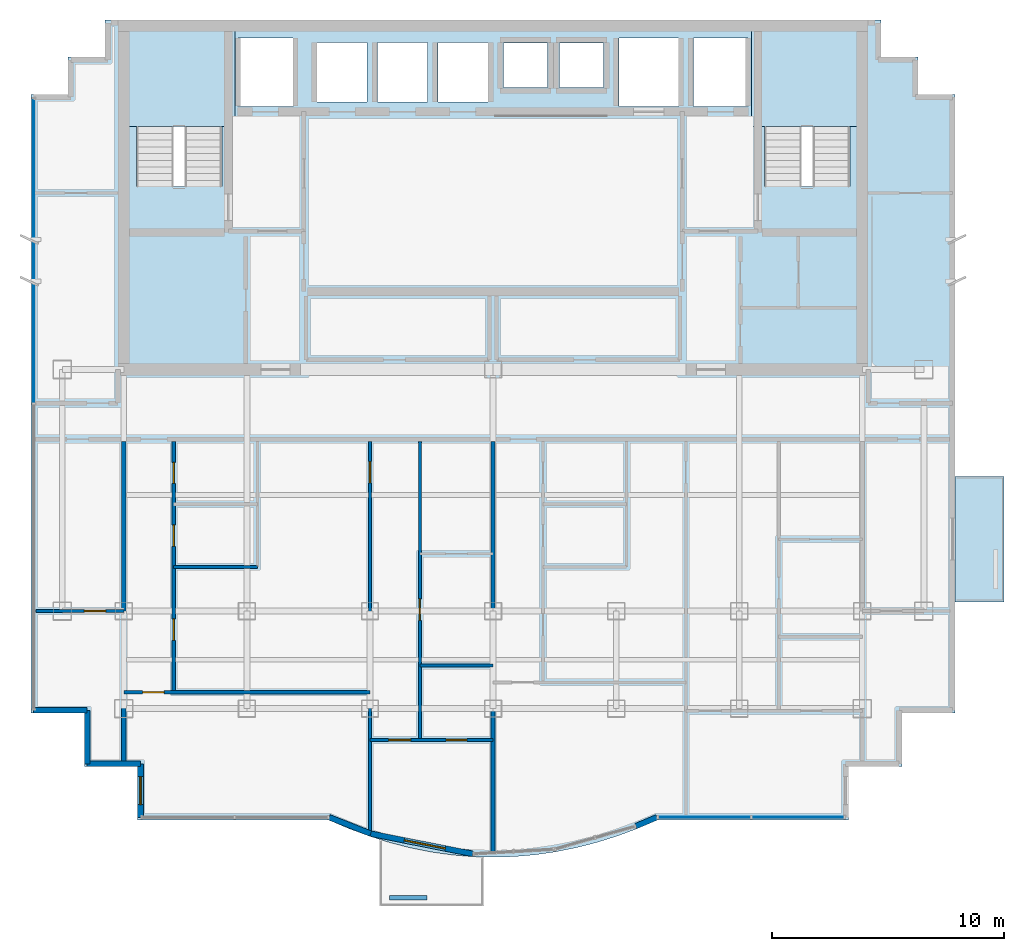
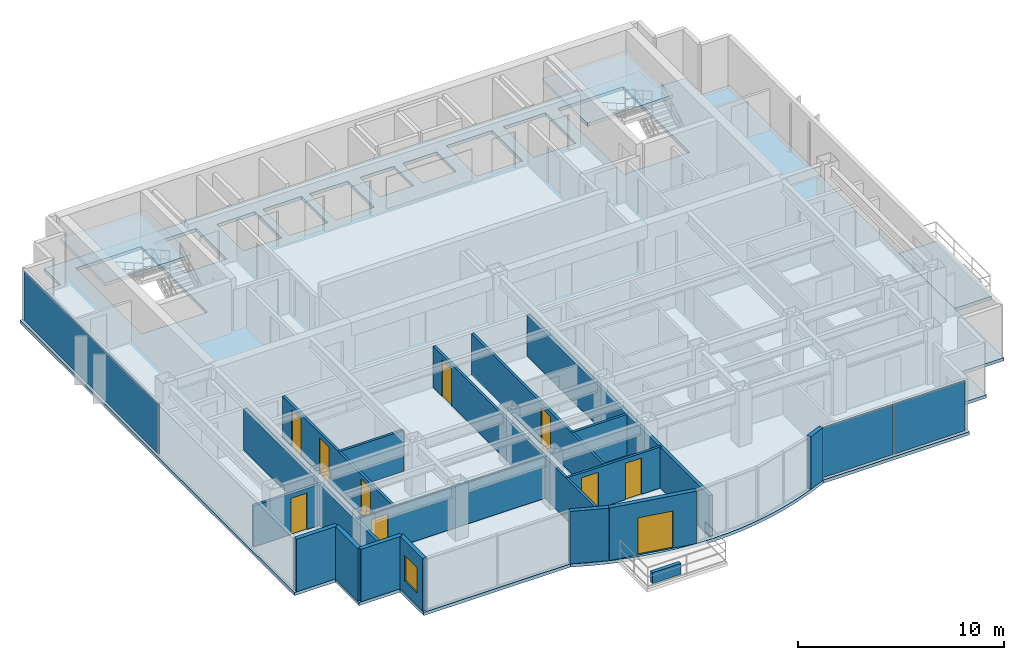
# One storey, part 6 of 11: 18 walls, 10 doors, 4 slabs, 3 plates, 1 window, 11 openings, 4 elements without a shape of their own.
"""IFC4 building model written with IfcOpenShell, lengths in metres."""

import ifcopenshell
import ifcopenshell.guid

model = None  # the IFC model being written
_history = None  # IfcOwnerHistory: only IFC2X3 demands one
_inside = {}  # id of a spatial element -> (the spatial element, [elements in it])
_under = {}  # id of a project, library or spatial element -> (it, [spatial elements below it])
_declared = {}  # id of a project -> (the project, [libraries it declares])
_typed = {}  # id of a type object -> (the type object, [elements of that type])
_made_of = {}  # id of a material, layer set ... -> (it, [elements and type objects made of it])


def new_model(schema):
    """Start an empty IFC model of exactly this schema.

    Asked for "IFC4X3", IfcOpenShell would pick the latest addendum, in which some entities
    have other attributes; the version numbers below select the first issue.
    IFC2X3 requires an IfcOwnerHistory on every rooted entity: one is made here for all.
    """
    global model, _history
    if schema == "IFC4X3":
        model = ifcopenshell.file(schema_version=(4, 3, 0, 0))
    else:
        model = ifcopenshell.file(schema=schema)
    _inside.clear()
    _under.clear()
    _declared.clear()
    _typed.clear()
    _made_of.clear()
    _history = None
    if model.schema == "IFC2X3":
        org = make("IfcOrganization", Name="unknown")
        user = make(
            "IfcPersonAndOrganization",
            ThePerson=make("IfcPerson", FamilyName="unknown"),
            TheOrganization=org,
        )
        app = make(
            "IfcApplication",
            ApplicationDeveloper=org,
            Version="unknown",
            ApplicationFullName="unknown",
            ApplicationIdentifier="unknown",
        )
        _history = make(
            "IfcOwnerHistory",
            OwningUser=user,
            OwningApplication=app,
            ChangeAction="ADDED",
            CreationDate=0,
        )
    return model


def make(cls, **values):
    """One entity of the class cls with the attributes given. An attribute that is None is left unset."""
    return model.create_entity(
        cls, **{name: value for name, value in values.items() if value is not None}
    )


def rooted(cls, **values):
    """An entity with a GlobalId (a new one), such as an element, a storey or a relation."""
    return make(cls, GlobalId=ifcopenshell.guid.new(), OwnerHistory=_history, **values)


def si_unit(unit_type, name, prefix=None):
    """IfcSIUnit, for example si_unit("LENGTHUNIT", "METRE", prefix="MILLI")."""
    return make("IfcSIUnit", UnitType=unit_type, Prefix=prefix, Name=name)


def assignment(units):
    """IfcUnitAssignment: the units of a project."""
    return None if units is None else make("IfcUnitAssignment", Units=units)


def point(xyz):
    """IfcCartesianPoint."""
    return None if xyz is None else make("IfcCartesianPoint", Coordinates=xyz)


def direction(xyz):
    """IfcDirection."""
    return None if xyz is None else make("IfcDirection", DirectionRatios=xyz)


def frame(location, z_axis=None, x_axis=None):
    """IfcAxis2Placement3D, a coordinate frame: its origin and axes. An axis left out is left unset."""
    return make(
        "IfcAxis2Placement3D",
        Location=point(location),
        Axis=direction(z_axis),
        RefDirection=direction(x_axis),
    )


def frame_2d(location, x_axis=None):
    """IfcAxis2Placement2D, a coordinate frame in the plane: its origin and x axis."""
    return make(
        "IfcAxis2Placement2D", Location=point(location), RefDirection=direction(x_axis)
    )


def origin():
    """The frame at (0, 0, 0) with its axes left unset."""
    return frame((0.0, 0.0, 0.0))


def origin_2d():
    """The frame at (0, 0) in the plane with its x axis left unset."""
    return frame_2d((0.0, 0.0))


def place(relative_to, where):
    """IfcLocalPlacement: puts the frame where relative to a parent placement (None: the world)."""
    return make(
        "IfcLocalPlacement", PlacementRelTo=relative_to, RelativePlacement=where
    )


def context(
    kind, dimensions, precision=None, world=None, true_north=None, identifier=None
):
    """IfcGeometricRepresentationContext, for example the 3D "Model" context."""
    return make(
        "IfcGeometricRepresentationContext",
        ContextIdentifier=identifier,
        ContextType=kind,
        CoordinateSpaceDimension=dimensions,
        Precision=precision,
        WorldCoordinateSystem=world,
        TrueNorth=true_north,
    )


def subcontext(parent, identifier, kind, view, scale=None):
    """IfcGeometricRepresentationSubContext, for example "Body" below "Model"."""
    return make(
        "IfcGeometricRepresentationSubContext",
        ContextIdentifier=identifier,
        ContextType=kind,
        ParentContext=parent,
        TargetScale=scale,
        TargetView=view,
    )


def project(units=None, contexts=None):
    """IfcProject with its units and contexts."""
    return rooted(
        "IfcProject",
        Name="project",
        RepresentationContexts=contexts,
        UnitsInContext=assignment(units),
    )


def spatial(cls, under=None, at=None, **own):
    """A site, building, storey or space (cls), placed at a placement, below another one or the project."""
    s = rooted(cls, ObjectPlacement=at, **own)
    if under is not None:
        _under.setdefault(under.id(), (under, []))[1].append(s)
    return s


def polyline(points):
    """IfcPolyline through the points."""
    return make("IfcPolyline", Points=[point(p) for p in points])


def profile(cls, at=None, kind="AREA", **sizes):
    """A parametric profile (cls). Its sizes go by their IFC names, for example OverallWidth=200.0."""
    return make(cls, ProfileType=kind, Position=at, **sizes)


def rectangle(**sizes):
    """IfcRectangleProfileDef."""
    return profile("IfcRectangleProfileDef", **sizes)


def outline(outer, holes=None, kind="AREA"):
    """IfcArbitraryClosedProfileDef: a profile drawn as a closed curve; with holes, ...WithVoids."""
    if holes is None:
        return make("IfcArbitraryClosedProfileDef", ProfileType=kind, OuterCurve=outer)
    return make(
        "IfcArbitraryProfileDefWithVoids",
        ProfileType=kind,
        OuterCurve=outer,
        InnerCurves=holes,
    )


def extrude(swept, where, along, depth):
    """IfcExtrudedAreaSolid: the profile swept, set in the frame where, extruded along a direction by depth."""
    return make(
        "IfcExtrudedAreaSolid",
        SweptArea=swept,
        Position=where,
        ExtrudedDirection=direction(along),
        Depth=depth,
    )


def shape(context_of_items, identifier, shape_type, items):
    """IfcShapeRepresentation: the items that make up one representation, for example the "Body"."""
    return make(
        "IfcShapeRepresentation",
        ContextOfItems=context_of_items,
        RepresentationIdentifier=identifier,
        RepresentationType=shape_type,
        Items=items,
    )


def source(mapping_origin, context_of_items, identifier, shape_type, items):
    """IfcRepresentationMap: a shape defined once, which mapped items show again and again."""
    return make(
        "IfcRepresentationMap",
        MappingOrigin=mapping_origin,
        MappedRepresentation=shape(context_of_items, identifier, shape_type, items),
    )


def transform(
    local_origin,
    x_axis=None,
    y_axis=None,
    z_axis=None,
    scale=None,
    scale2=None,
    scale3=None,
    uniform=True,
):
    """IfcCartesianTransformationOperator3D, or its non-uniform kind. x_axis, y_axis, z_axis: its Axis1, 2, 3."""
    if uniform:
        return make(
            "IfcCartesianTransformationOperator3D",
            Axis1=direction(x_axis),
            Axis2=direction(y_axis),
            LocalOrigin=point(local_origin),
            Scale=scale,
            Axis3=direction(z_axis),
        )
    return make(
        "IfcCartesianTransformationOperator3DnonUniform",
        Axis1=direction(x_axis),
        Axis2=direction(y_axis),
        LocalOrigin=point(local_origin),
        Scale=scale,
        Axis3=direction(z_axis),
        Scale2=scale2,
        Scale3=scale3,
    )


def mapped(mapping_source, mapping_target):
    """IfcMappedItem: shows the shape of a source again, moved by a transform."""
    return make(
        "IfcMappedItem", MappingSource=mapping_source, MappingTarget=mapping_target
    )


def material(Name=None, Category=None):
    """IfcMaterial."""
    return make("IfcMaterial", Name=Name, Category=Category)


def layer(
    of_material, thickness, ventilated=None, Name=None, Category=None, Priority=None
):
    """IfcMaterialLayer: one layer of a wall or slab, of a material (None: an air gap)."""
    return make(
        "IfcMaterialLayer",
        Material=of_material,
        LayerThickness=thickness,
        IsVentilated=ventilated,
        Name=Name,
        Category=Category,
        Priority=Priority,
    )


def layer_set(layers, Name=None):
    """IfcMaterialLayerSet."""
    return make("IfcMaterialLayerSet", MaterialLayers=layers, LayerSetName=Name)


def made_of(thing, what):
    """Note that an element or type object is made of a material, layer set ...; save() writes the relation."""
    if what is not None:
        _made_of.setdefault(what.id(), (what, []))[1].append(thing)
    return thing


def type_object(cls, material=None, **own):
    """A type object (cls), such as IfcWallType, which elements share."""
    return made_of(rooted(cls, **own), material)


def element(
    cls,
    number,
    at=None,
    inside=None,
    cuts=None,
    type_object=None,
    material=None,
    context=None,
    identifier="Body",
    shape_type=None,
    held_by="IfcProductDefinitionShape",
    body=None,
    shapes=None,
    **own,
):
    """One element of the class cls, such as IfcWall. Its Tag is "e" and its number.

    at: its placement. inside: the storey or other place that contains it. cuts: it is an
    opening in that element (IfcRelVoidsElement). A single representation is given by context,
    identifier, shape_type and body (its items); several are given by shapes. held_by: the class
    of the entity that holds the representations. save() writes the other relations.
    """
    e = rooted(cls, Tag="e%d" % number, ObjectPlacement=at, **own)
    if body is not None:
        shapes = [shape(context, identifier, shape_type, body)]
    if shapes is not None:
        e.Representation = make(held_by, Representations=shapes)
    if inside is not None:
        _inside.setdefault(inside.id(), (inside, []))[1].append(e)
    if cuts is not None:
        rooted(
            "IfcRelVoidsElement", RelatingBuildingElement=cuts, RelatedOpeningElement=e
        )
    if type_object is not None:
        _typed.setdefault(type_object.id(), (type_object, []))[1].append(e)
    return made_of(e, material)


def fill(opening, filler):
    """IfcRelFillsElement: the door or window that sits in an opening."""
    return rooted(
        "IfcRelFillsElement",
        RelatingOpeningElement=opening,
        RelatedBuildingElement=filler,
    )


def aggregate(whole, parts):
    """IfcRelAggregates: a whole, such as a stair, and the parts it consists of."""
    return rooted("IfcRelAggregates", RelatingObject=whole, RelatedObjects=parts)


def save(model, path):
    """Write the relations noted so far, then the file.

    IfcRelAggregates (storeys below a building ...), IfcRelContainedInSpatialStructure (elements
    in a storey), IfcRelDefinesByType, IfcRelAssociatesMaterial and IfcRelDeclares: one each for
    every whole, place, type object, material and project.
    """
    for whole, parts in _under.values():
        aggregate(whole, parts)
    for where, things in _inside.values():
        rooted(
            "IfcRelContainedInSpatialStructure",
            RelatedElements=things,
            RelatingStructure=where,
        )
    for kind, things in _typed.values():
        rooted("IfcRelDefinesByType", RelatedObjects=things, RelatingType=kind)
    for what, things in _made_of.values():
        rooted("IfcRelAssociatesMaterial", RelatedObjects=things, RelatingMaterial=what)
    for by, libraries in _declared.values():
        rooted("IfcRelDeclares", RelatingContext=by, RelatedDefinitions=libraries)
    model.write(path)


model = new_model("IFC4")

# Units and contexts
model_context = context("Model", 3, precision=1e-05, world=origin(), true_north=direction((0.0, 1.0)))
body_context = subcontext(model_context, "Body", "Model", "MODEL_VIEW")
ifc_project = project(units=[si_unit("LENGTHUNIT", "METRE"), si_unit("AREAUNIT", "SQUARE_METRE"), si_unit("VOLUMEUNIT", "CUBIC_METRE"), si_unit("PLANEANGLEUNIT", "RADIAN"), si_unit("MASSUNIT", "GRAM", prefix="KILO")], contexts=[model_context])

# Site, building, storey
site_placement = place(None, origin())
site = spatial("IfcSite", under=ifc_project, at=site_placement, CompositionType="ELEMENT")
building_placement = place(site_placement, origin())
building = spatial("IfcBuilding", under=site, at=building_placement, Name="Qianlan Lanfeng Residences", CompositionType="ELEMENT")
storey_placement = place(building_placement, frame((0.0, 0.0, 223.10009765625)))
storey = spatial("IfcBuildingStorey", under=building, at=storey_placement, Name="L61", CompositionType="ELEMENT", Elevation=223.10009765625)

# Slabs
ifc_material_1 = material(Name="Concrete C42", Category="concrete")
ifc_layer_1 = layer(ifc_material_1, 0.199951171875)
ifc_layer_set_1 = layer_set([ifc_layer_1], Name="Concrete C42")
slab_type_1 = type_object("IfcSlabType", Name="S-BAL-200", PredefinedType="FLOOR", material=ifc_layer_set_1)
slab_1_placement = place(storey_placement, frame((0.0, 0.0, -0.2001953125)))
element("IfcSlab", 1, at=slab_1_placement, inside=storey, type_object=slab_type_1, Name="L61 Planted Tree Balcony Slab EB-S", PredefinedType="FLOOR", context=body_context, shape_type="SweptSolid", body=[
    extrude(outline(polyline([(46.39990234375, 20.60009765625), (46.39990234375, 15.199951171875), (48.5, 15.199951171875), (48.5, 20.60009765625), (46.39990234375, 20.60009765625)])), origin(), (0.0, 0.0, 1.0), 0.2001953125),
])
ifc_layer_2 = layer(ifc_material_1, 0.18994140625)
ifc_layer_set_2 = layer_set([ifc_layer_2], Name="Concrete C42")
slab_type_2 = type_object("IfcSlabType", Name="S-FL-190", PredefinedType="FLOOR", material=ifc_layer_set_2)
slab_2_placement = place(storey_placement, frame((0.0, 0.0, -0.190185546875)))
element("IfcSlab", 2, at=slab_2_placement, inside=storey, type_object=slab_type_2, Name="L61 Structural Floor Slab", PredefinedType="FLOOR", context=body_context, shape_type="SweptSolid", body=[
    extrude(outline(polyline([(6.60009765625, 10.39990234375), (8.89990234375, 10.39990234375), (8.89990234375, 8.10009765625), (11.199951171875, 8.10009765625), (11.199951171875, 5.800048828125), (19.419921875, 5.800048828125), (20.304931640625, 5.425048828125), (21.18994140625, 5.10009765625), (22.074951171875, 4.824951171875), (22.9599609375, 4.60009765625), (23.844970703125, 4.425048828125), (24.72998046875, 4.300048828125), (25.614990234375, 4.22509765625), (26.5, 4.199951171875), (27.385009765625, 4.22509765625), (28.27001953125, 4.300048828125), (29.155029296875, 4.425048828125), (30.0400390625, 4.60009765625), (30.925048828125, 4.824951171875), (31.81005859375, 5.10009765625), (32.695068359375, 5.425048828125), (33.580078125, 5.800048828125), (41.800048828125, 5.800048828125), (41.800048828125, 8.10009765625), (44.10009765625, 8.10009765625), (44.10009765625, 10.39990234375), (46.39990234375, 10.39990234375), (46.39990234375, 37.050048828125), (44.800048828125, 37.050048828125), (44.800048828125, 38.64990234375), (43.199951171875, 38.64990234375), (43.199951171875, 40.25), (9.800048828125, 40.25), (9.800048828125, 38.64990234375), (8.199951171875, 38.64990234375), (8.199951171875, 37.050048828125), (6.60009765625, 37.050048828125), (6.60009765625, 10.39990234375)]), holes=[polyline([(11.139892578125, 33.080078125), (11.139892578125, 39.5), (14.820068359375, 39.5), (14.820068359375, 33.080078125), (11.139892578125, 33.080078125)]), polyline([(38.179931640625, 33.080078125), (38.179931640625, 39.5), (41.860107421875, 39.5), (41.860107421875, 33.080078125), (38.179931640625, 33.080078125)]), polyline([(15.52001953125, 36.52001953125), (15.52001953125, 39.47998046875), (17.8798828125, 39.47998046875), (17.8798828125, 36.52001953125), (15.52001953125, 36.52001953125)]), polyline([(35.1201171875, 36.52001953125), (35.1201171875, 39.47998046875), (37.47998046875, 39.47998046875), (37.47998046875, 36.52001953125), (35.1201171875, 36.52001953125)]), polyline([(31.919921875, 36.52001953125), (31.919921875, 39.47998046875), (34.47998046875, 39.47998046875), (34.47998046875, 36.52001953125), (31.919921875, 36.52001953125)]), polyline([(18.919921875, 36.719970703125), (18.919921875, 39.280029296875), (21.080078125, 39.280029296875), (21.080078125, 36.719970703125), (18.919921875, 36.719970703125)]), polyline([(21.52001953125, 36.719970703125), (21.52001953125, 39.280029296875), (23.679931640625, 39.280029296875), (23.679931640625, 36.719970703125), (21.52001953125, 36.719970703125)]), polyline([(24.1201171875, 36.719970703125), (24.1201171875, 39.280029296875), (26.280029296875, 39.280029296875), (26.280029296875, 36.719970703125), (24.1201171875, 36.719970703125)]), polyline([(26.949951171875, 37.35009765625), (26.949951171875, 39.25), (28.85009765625, 39.25), (28.85009765625, 37.35009765625), (26.949951171875, 37.35009765625)]), polyline([(29.35009765625, 37.35009765625), (29.35009765625, 39.25), (31.25, 39.25), (31.25, 37.35009765625), (29.35009765625, 37.35009765625)])]), origin(), (0.0, 0.0, 1.0), 0.190185546875),
])

# Stair, slab
stair_type = type_object("IfcStairType", Name="STR-MAIN", PredefinedType="HALF_TURN_STAIR", material=ifc_material_1)
stair_1_placement = place(storey_placement, origin())
stair_1 = element("IfcStair", 3, at=stair_1_placement, inside=storey, type_object=stair_type, Name="L61 Exit Stair ST-1", PredefinedType="HALF_TURN_STAIR")
ifc_layer_3 = layer(ifc_material_1, 0.179931640625)
ifc_layer_set_3 = layer_set([ifc_layer_3], Name="Concrete C42")
slab_type_3 = type_object("IfcSlabType", Name="S-LND-180", PredefinedType="LANDING", material=ifc_layer_set_3)
slab_3_placement = place(storey_placement, frame((0.0, 0.0, 1.449951171875)))
slab_3 = element("IfcSlab", 4, at=slab_3_placement, type_object=slab_type_3, Name="ST-1 landing 1", PredefinedType="LANDING", context=body_context, shape_type="SweptSolid", body=[
    extrude(outline(polyline([(10.580078125, 35.659912109375), (15.3798828125, 35.659912109375), (15.3798828125, 40.050048828125), (10.580078125, 40.050048828125), (10.580078125, 35.659912109375)])), origin(), (0.0, 0.0, 1.0), 0.199951171875),
])
aggregate(stair_1, [slab_3])

stair_2_placement = place(storey_placement, origin())
stair_2 = element("IfcStair", 5, at=stair_2_placement, inside=storey, type_object=stair_type, Name="L61 Exit Stair ST-2", PredefinedType="HALF_TURN_STAIR")
slab_4_placement = place(storey_placement, frame((0.0, 0.0, 1.449951171875)))
slab_4 = element("IfcSlab", 6, at=slab_4_placement, type_object=slab_type_3, Name="ST-2 landing 1", PredefinedType="LANDING", context=body_context, shape_type="SweptSolid", body=[
    extrude(outline(polyline([(37.6201171875, 35.659912109375), (42.419921875, 35.659912109375), (42.419921875, 40.050048828125), (37.6201171875, 40.050048828125), (37.6201171875, 35.659912109375)])), origin(), (0.0, 0.0, 1.0), 0.199951171875),
])
aggregate(stair_2, [slab_4])

# Curtain wall, plate
ifc_material_2 = material(Name="Anodised Bronze Aluminium 6063-T6", Category="aluminium")
ifc_layer_4 = layer(ifc_material_2, 0.219970703125)
ifc_layer_set_4 = layer_set([ifc_layer_4], Name="Anodised Bronze Aluminium 6063-T6")
curtain_wall_type = type_object("IfcCurtainWallType", Name="CW-05", PredefinedType="NOTDEFINED", material=ifc_layer_set_4)
curtain_wall_1_placement = place(storey_placement, origin())
curtain_wall_1 = element("IfcCurtainWall", 7, at=curtain_wall_1_placement, inside=storey, type_object=curtain_wall_type, Name="L61 Unitised Curtain Wall CWR-L61-04 (CW-05)", PredefinedType="NOTDEFINED")
ifc_material_3 = material(Name="Dark Bronze Tinted Insulated Glass", Category="glass")
ifc_layer_5 = layer(ifc_material_3, 0.0380859375)
ifc_layer_set_5 = layer_set([ifc_layer_5], Name="Dark Bronze Tinted Insulated Glass")
plate_type_1 = type_object("IfcPlateType", Name="PNL-GLZ-BRZ", PredefinedType="CURTAIN_PANEL", material=ifc_layer_set_5)
shared_shape_1 = source(origin(), body_context, "Body", "SweptSolid", [
    extrude(rectangle(XDim=3.951416015625, YDim=0.0380859375, at=origin_2d()), origin(), (0.0, 0.0, 1.0), 2.9619140625),
])
plate_1_placement = place(storey_placement, frame((35.605712890625, 5.919921875, 0.073974609375), z_axis=(0.0, 0.0, 1.0), x_axis=(1.0, 0.0, 0.0)))
plate_1 = element("IfcPlate", 8, at=plate_1_placement, type_object=plate_type_1, Name="CWR-L61-04 Curtain Panel 1", PredefinedType="CURTAIN_PANEL", context=body_context, shape_type="MappedRepresentation", body=[
    mapped(shared_shape_1, transform((0.0, 0.0, 0.0), scale=1.0)),
])

curtain_wall_2_placement = place(storey_placement, origin())
curtain_wall_2 = element("IfcCurtainWall", 9, at=curtain_wall_2_placement, inside=storey, type_object=curtain_wall_type, Name="L61 Unitised Curtain Wall CWR-L61-05 (CW-05)", PredefinedType="NOTDEFINED")
shared_shape_2 = source(origin(), body_context, "Body", "SweptSolid", [
    extrude(rectangle(XDim=13.094482421875, YDim=0.0380859375, at=origin_2d()), origin(), (0.0, 0.0, 1.0), 2.9619140625),
])
plate_2_placement = place(storey_placement, frame((6.719970703125, 30.30859375, 0.073974609375), z_axis=(0.0, 0.0, 1.0), x_axis=(0.0, -1.0, 0.0)))
plate_2 = element("IfcPlate", 10, at=plate_2_placement, type_object=plate_type_1, Name="CWR-L61-05 Curtain Panel 1", PredefinedType="CURTAIN_PANEL", context=body_context, shape_type="MappedRepresentation", body=[
    mapped(shared_shape_2, transform((0.0, 0.0, 0.0), scale=1.0)),
])
aggregate(curtain_wall_2, [plate_2])

# Plate
ifc_material_4 = material(Name="Perforated Anodised Bronze Aluminium Panel", Category="aluminium")
ifc_layer_6 = layer(ifc_material_4, 0.0419921875)
ifc_layer_set_6 = layer_set([ifc_layer_6], Name="Perforated Anodised Bronze Aluminium Panel")
plate_type_2 = type_object("IfcPlateType", Name="PNL-PRF-BRZ", PredefinedType="CURTAIN_PANEL", material=ifc_layer_set_6)
shared_shape_3 = source(origin(), body_context, "Body", "SweptSolid", [
    extrude(rectangle(XDim=3.951416015625, YDim=0.0419921875, at=origin_2d()), origin(), (0.0, 0.0, 1.0), 2.9619140625),
])
plate_3_placement = place(storey_placement, frame((39.630126953125, 5.919921875, 0.073974609375), z_axis=(0.0, 0.0, 1.0), x_axis=(1.0, 0.0, 0.0)))
plate_3 = element("IfcPlate", 11, at=plate_3_placement, type_object=plate_type_2, Name="CWR-L61-04 Curtain Panel 2", PredefinedType="CURTAIN_PANEL", context=body_context, shape_type="MappedRepresentation", body=[
    mapped(shared_shape_3, transform((0.0, 0.0, 0.0), scale=1.0)),
])

aggregate(curtain_wall_1, [plate_1, plate_3])

# Walls
ifc_layer_7 = layer(ifc_material_1, 0.239990234375)
ifc_layer_set_7 = layer_set([ifc_layer_7], Name="Concrete C42")
wall_type_1 = type_object("IfcWallType", Name="EW-240", PredefinedType="SOLIDWALL", material=ifc_layer_set_7)
for number, where, z_axis, x_axis, name in (
    (12, (6.719970703125, 10.52001953125, 0.0), (0.0, 0.0, 1.0), (1.0, 0.0, 0.0), "L61 Exterior Facade Spandrel Wall 1"),
    (13, (9.02001953125, 10.52001953125, 0.0), (0.0, 0.0, 1.0), (0.0, -1.0, 0.0), "L61 Exterior Facade Spandrel Wall 2"),
    (14, (9.02001953125, 8.219970703125, 0.0), (0.0, 0.0, 1.0), (1.0, 0.0, 0.0), "L61 Exterior Facade Spandrel Wall 3"),
):
    element("IfcWall", number, at=place(storey_placement, frame(where, z_axis=z_axis, x_axis=x_axis)), inside=storey, type_object=wall_type_1, Name=name, PredefinedType="SOLIDWALL", context=body_context, shape_type="SweptSolid", body=[
        extrude(rectangle(XDim=2.300048828125, YDim=0.239990234375, at=frame_2d((1.14990234375, 0.0))), origin(), (0.0, 0.0, 1.0), 3.10986328125),
    ])

# Wall, opening, window
wall_1_placement = place(storey_placement, frame((11.320068359375, 8.219970703125, 0.0), z_axis=(0.0, 0.0, 1.0), x_axis=(0.0, -1.0, 0.0)))
wall_1 = element("IfcWall", 15, at=wall_1_placement, inside=storey, type_object=wall_type_1, Name="L61 Exterior Facade Spandrel Wall 4", PredefinedType="SOLIDWALL", context=body_context, shape_type="SweptSolid", body=[
    extrude(rectangle(XDim=2.300048828125, YDim=0.239990234375, at=frame_2d((1.14990234375, 0.0))), origin(), (0.0, 0.0, 1.0), 3.10986328125),
])
opening_1_placement = place(wall_1_placement, frame((0.550048828125, 0.0, 0.75)))
opening_1 = element("IfcOpeningElement", 16, at=opening_1_placement, cuts=wall_1, Name="Opening W-03", PredefinedType="OPENING", context=body_context, shape_type="SweptSolid", body=[
    extrude(rectangle(XDim=1.199951171875, YDim=1.5, at=frame_2d((0.60009765625, 0.75))), frame((0.0, 0.1298828125, 0.0), z_axis=(0.0, -1.0, 0.0), x_axis=(1.0, 0.0, 0.0)), (0.0, 0.0, 1.0), 0.260009765625),
])
ifc_material_5 = material(Name="Anodised Bronze Aluminium Framed Double Glazing", Category="aluminium")
window_type = type_object("IfcWindowType", Name="W-03", PartitioningType="SINGLE_PANEL", PredefinedType="WINDOW", material=ifc_material_5)
window_placement = place(opening_1_placement, origin())
window = element("IfcWindow", 17, at=window_placement, inside=storey, type_object=window_type, Name="L61 Facade Punched Window W-03", OverallHeight=1.5, OverallWidth=1.199951171875, PartitioningType="SINGLE_PANEL", PredefinedType="WINDOW", context=body_context, shape_type="SweptSolid", body=[
    extrude(rectangle(XDim=1.199951171875, YDim=1.5, at=frame_2d((0.60009765625, 0.75))), frame((0.0, 0.030029296875, 0.0), z_axis=(0.0, -1.0, 0.0), x_axis=(1.0, 0.0, 0.0)), (0.0, 0.0, 1.0), 0.06005859375),
])
fill(opening_1, window)

# Wall
wall_2_placement = place(storey_placement, frame((19.444091796875, 5.919921875, 0.0), z_axis=(0.0, 0.0, 1.0), x_axis=(0.92993442177, -0.367725401906, 0.0)))
element("IfcWall", 18, at=wall_2_placement, inside=storey, type_object=wall_type_1, Name="L61 Exterior Facade Spandrel Wall 5", PredefinedType="SOLIDWALL", context=body_context, shape_type="SweptSolid", body=[
    extrude(rectangle(XDim=1.91943359375, YDim=0.239990234375, at=frame_2d((0.959716796875, 0.0))), origin(), (0.0, 0.0, 1.0), 3.10986328125),
])

# Wall, opening, door
wall_3_placement = place(storey_placement, frame((21.22900390625, 5.214111328125, 0.0), z_axis=(0.0, 0.0, 1.0), x_axis=(0.980985349685, -0.194081796425, 0.0)))
wall_3 = element("IfcWall", 19, at=wall_3_placement, inside=storey, type_object=wall_type_1, Name="L61 Terrace/Balcony Access Exterior Wall 6", PredefinedType="SOLIDWALL", context=body_context, shape_type="SweptSolid", body=[
    extrude(rectangle(XDim=4.478271484375, YDim=0.239990234375, at=frame_2d((2.2392578125, 0.0))), origin(), (0.0, 0.0, 1.0), 3.10986328125),
])
opening_2_placement = place(wall_3_placement, frame((1.472900390625, 0.0, 0.0)))
opening_2 = element("IfcOpeningElement", 20, at=opening_2_placement, cuts=wall_3, Name="Opening L61-D-SB-C", PredefinedType="OPENING", context=body_context, shape_type="SweptSolid", body=[
    extrude(rectangle(XDim=1.800048828125, YDim=2.199951171875, at=frame_2d((0.89990234375, 1.10009765625))), frame((0.0, 0.1298828125, 0.0), z_axis=(0.0, -1.0, 0.0), x_axis=(1.0, 0.0, 0.0)), (0.0, 0.0, 1.0), 0.260009765625),
])
ifc_material_6 = material(Name="Anodised Bronze Aluminium Framed Glass", Category="aluminium")
door_type_1 = type_object("IfcDoorType", Name="DT-BAL1", OperationType="NOTDEFINED", PredefinedType="DOOR", material=ifc_material_6)
door_1_placement = place(opening_2_placement, frame((1.800048828125, 0.0, 0.0), z_axis=(0.0, 0.0, 1.0), x_axis=(-1.0, 0.0, 0.0)))
door_1 = element("IfcDoor", 21, at=door_1_placement, inside=storey, type_object=door_type_1, Name="L61 Exterior Access Door SB-C", OperationType="DOUBLE_DOOR_SLIDING", OverallHeight=2.199951171875, OverallWidth=1.800048828125, PredefinedType="DOOR", context=body_context, shape_type="SweptSolid", body=[
    extrude(rectangle(XDim=1.800048828125, YDim=2.199951171875, at=frame_2d((0.89990234375, 1.10009765625))), frame((0.0, 0.02490234375, 0.0), z_axis=(0.0, -1.0, 0.0), x_axis=(1.0, 0.0, 0.0)), (0.0, 0.0, 1.0), 0.050048828125),
])
fill(opening_2, door_1)

# Walls
wall_4_placement = place(storey_placement, frame((32.65087890625, 5.537109375, 0.0), z_axis=(0.0, 0.0, 1.0), x_axis=(0.920998109395, 0.389567044924, 0.0)))
element("IfcWall", 22, at=wall_4_placement, inside=storey, type_object=wall_type_1, Name="L61 Exterior Facade Spandrel Wall 7", PredefinedType="SOLIDWALL", context=body_context, shape_type="SweptSolid", body=[
    extrude(rectangle(XDim=0.982666015625, YDim=0.239990234375, at=frame_2d((0.4912109375, 0.0))), origin(), (0.0, 0.0, 1.0), 3.10986328125),
])
ifc_layer_8 = layer(ifc_material_1, 0.199951171875)
ifc_layer_set_8 = layer_set([ifc_layer_8], Name="Concrete C42")
wall_type_2 = type_object("IfcWallType", Name="PL-TREE-200", PredefinedType="PARAPET", material=ifc_layer_set_8)
wall_5_placement = place(storey_placement, frame((22.050048828125, 2.449951171875, 0.0), z_axis=(0.0, 0.0, 1.0), x_axis=(1.0, 0.0, 0.0)))
element("IfcWall", 23, at=wall_5_placement, inside=storey, type_object=wall_type_2, Name="L61 Balcony Tree Planter Curb SB-C", PredefinedType="PARAPET", context=body_context, shape_type="SweptSolid", body=[
    extrude(rectangle(XDim=1.599853515625, YDim=0.199951171875, at=frame_2d((0.7998046875, 0.0))), origin(), (0.0, 0.0, 1.0), 0.64990234375),
])

# Wall, opening, door
ifc_material_7 = material(Name="Moisture-Resistant Gypsum Partition 135 mm")
ifc_layer_9 = layer(ifc_material_7, 0.135009765625)
ifc_layer_set_9 = layer_set([ifc_layer_9], Name="Moisture-Resistant Gypsum Partition 135 mm")
wall_type_3 = type_object("IfcWallType", Name="PW-135", PredefinedType="PARTITIONING", material=ifc_layer_set_9)
wall_6_placement = place(storey_placement, frame((21.199951171875, 5.3310546875, 0.0), z_axis=(0.0, 0.0, 1.0), x_axis=(0.0, 1.0, 0.0)))
wall_6 = element("IfcWall", 24, at=wall_6_placement, inside=storey, type_object=wall_type_3, Name="L61 U01 Bay Spine Wall 1", PredefinedType="PARTITIONING", context=body_context, shape_type="SweptSolid", body=[
    extrude(rectangle(XDim=16.76904296875, YDim=0.135009765625, at=frame_2d((8.384521484375, 0.0))), origin(), (0.0, 0.0, 1.0), 2.429931640625),
])
opening_3_placement = place(wall_6_placement, frame((14.98388671875, 0.0, 0.0)))
opening_3 = element("IfcOpeningElement", 25, at=opening_3_placement, cuts=wall_6, Name="Opening L61-D18", PredefinedType="OPENING", context=body_context, shape_type="SweptSolid", body=[
    extrude(rectangle(XDim=0.919921875, YDim=2.14990234375, at=frame_2d((0.4599609375, 1.074951171875))), frame((0.0, 0.07763671875, 0.0), z_axis=(0.0, -1.0, 0.0), x_axis=(1.0, 0.0, 0.0)), (0.0, 0.0, 1.0), 0.155029296875),
])
ifc_material_8 = material(Name="Glazed Timber Kitchen/Study Door", Category="wood")
door_type_2 = type_object("IfcDoorType", Name="DT-INT", OperationType="NOTDEFINED", PredefinedType="DOOR", material=ifc_material_8)
door_2_placement = place(opening_3_placement, origin())
door_2 = element("IfcDoor", 26, at=door_2_placement, inside=storey, type_object=door_type_2, Name="L61 U01 Internal Hall Door L61-D18 (DT-INT)", OperationType="SINGLE_SWING_LEFT", OverallHeight=2.14990234375, OverallWidth=0.919921875, PredefinedType="DOOR", context=body_context, shape_type="SweptSolid", body=[
    extrude(rectangle(XDim=0.919921875, YDim=2.14990234375, at=frame_2d((0.4599609375, 1.074951171875))), frame((0.0, 0.02490234375, 0.0), z_axis=(0.0, -1.0, 0.0), x_axis=(1.0, 0.0, 0.0)), (0.0, 0.0, 1.0), 0.050048828125),
])
fill(opening_3, door_2)

wall_7_placement = place(storey_placement, frame((10.60009765625, 11.302978515625, 0.0), z_axis=(0.0, 0.0, 1.0), x_axis=(1.0, 0.0, 0.0)))
wall_7 = element("IfcWall", 27, at=wall_7_placement, inside=storey, type_object=wall_type_3, Name="L61 U01 Living Divider", PredefinedType="PARTITIONING", context=body_context, shape_type="SweptSolid", body=[
    extrude(rectangle(XDim=10.599853515625, YDim=0.135009765625, at=frame_2d((5.2998046875, 0.0))), origin(), (0.0, 0.0, 1.0), 2.429931640625),
])
opening_4_placement = place(wall_7_placement, frame((0.81494140625, 0.0, 0.0)))
opening_4 = element("IfcOpeningElement", 28, at=opening_4_placement, cuts=wall_7, Name="Opening L61-D19", PredefinedType="OPENING", context=body_context, shape_type="SweptSolid", body=[
    extrude(rectangle(XDim=0.919921875, YDim=2.14990234375, at=frame_2d((0.4599609375, 1.074951171875))), frame((0.0, 0.07763671875, 0.0), z_axis=(0.0, -1.0, 0.0), x_axis=(1.0, 0.0, 0.0)), (0.0, 0.0, 1.0), 0.155029296875),
])
door_3_placement = place(opening_4_placement, origin())
door_3 = element("IfcDoor", 29, at=door_3_placement, inside=storey, type_object=door_type_2, Name="L61 U01 Living Passage Door L61-D19 (DT-INT)", OperationType="SINGLE_SWING_LEFT", OverallHeight=2.14990234375, OverallWidth=0.919921875, PredefinedType="DOOR", context=body_context, shape_type="SweptSolid", body=[
    extrude(rectangle(XDim=0.919921875, YDim=2.14990234375, at=frame_2d((0.4599609375, 1.074951171875))), frame((0.0, 0.02490234375, 0.0), z_axis=(0.0, -1.0, 0.0), x_axis=(1.0, 0.0, 0.0)), (0.0, 0.0, 1.0), 0.050048828125),
])
fill(opening_4, door_3)

# Wall, openings, doors
wall_8_placement = place(storey_placement, frame((12.75, 11.302978515625, 0.0), z_axis=(0.0, 0.0, 1.0), x_axis=(0.0, 1.0, 0.0)))
wall_8 = element("IfcWall", 30, at=wall_8_placement, inside=storey, type_object=wall_type_3, Name="L61 U01 Entry Hall Spine", PredefinedType="PARTITIONING", context=body_context, shape_type="SweptSolid", body=[
    extrude(rectangle(XDim=10.797119140625, YDim=0.135009765625, at=frame_2d((5.3984375, 0.0))), origin(), (0.0, 0.0, 1.0), 2.429931640625),
])
opening_5_placement = place(wall_8_placement, frame((2.239013671875, 0.0, 0.0)))
opening_5 = element("IfcOpeningElement", 31, at=opening_5_placement, cuts=wall_8, Name="Opening L61-D20", PredefinedType="OPENING", context=body_context, shape_type="SweptSolid", body=[
    extrude(rectangle(XDim=0.919921875, YDim=2.14990234375, at=frame_2d((0.4599609375, 1.074951171875))), frame((0.0, 0.07763671875, 0.0), z_axis=(0.0, -1.0, 0.0), x_axis=(1.0, 0.0, 0.0)), (0.0, 0.0, 1.0), 0.155029296875),
])
opening_6_placement = place(wall_8_placement, frame((6.287109375, 0.0, 0.0)))
opening_6 = element("IfcOpeningElement", 32, at=opening_6_placement, cuts=wall_8, Name="Opening L61-D21", PredefinedType="OPENING", context=body_context, shape_type="SweptSolid", body=[
    extrude(rectangle(XDim=0.919921875, YDim=2.14990234375, at=frame_2d((0.4599609375, 1.074951171875))), frame((0.0, 0.07763671875, 0.0), z_axis=(0.0, -1.0, 0.0), x_axis=(1.0, 0.0, 0.0)), (0.0, 0.0, 1.0), 0.155029296875),
])
opening_7_placement = place(wall_8_placement, frame((8.9970703125, 0.0, 0.0)))
opening_7 = element("IfcOpeningElement", 33, at=opening_7_placement, cuts=wall_8, Name="Opening L61-D22", PredefinedType="OPENING", context=body_context, shape_type="SweptSolid", body=[
    extrude(rectangle(XDim=0.89990234375, YDim=2.14990234375, at=frame_2d((0.449951171875, 1.074951171875))), frame((0.0, 0.07763671875, 0.0), z_axis=(0.0, -1.0, 0.0), x_axis=(1.0, 0.0, 0.0)), (0.0, 0.0, 1.0), 0.155029296875),
])
door_4_placement = place(opening_5_placement, origin())
door_4 = element("IfcDoor", 34, at=door_4_placement, inside=storey, type_object=door_type_2, Name="L61 U01 Study Door L61-D20 (DT-INT)", OperationType="SINGLE_SWING_LEFT", OverallHeight=2.14990234375, OverallWidth=0.919921875, PredefinedType="DOOR", context=body_context, shape_type="SweptSolid", body=[
    extrude(rectangle(XDim=0.919921875, YDim=2.14990234375, at=frame_2d((0.4599609375, 1.074951171875))), frame((0.0, 0.02490234375, 0.0), z_axis=(0.0, -1.0, 0.0), x_axis=(1.0, 0.0, 0.0)), (0.0, 0.0, 1.0), 0.050048828125),
])
fill(opening_5, door_4)
door_5_placement = place(opening_6_placement, origin())
door_5 = element("IfcDoor", 35, at=door_5_placement, inside=storey, type_object=door_type_2, Name="L61 U01 Kitchen Door L61-D21 (DT-INT)", OperationType="SINGLE_SWING_RIGHT", OverallHeight=2.14990234375, OverallWidth=0.919921875, PredefinedType="DOOR", context=body_context, shape_type="SweptSolid", body=[
    extrude(rectangle(XDim=0.919921875, YDim=2.14990234375, at=frame_2d((0.4599609375, 1.074951171875))), frame((0.0, 0.02490234375, 0.0), z_axis=(0.0, -1.0, 0.0), x_axis=(1.0, 0.0, 0.0)), (0.0, 0.0, 1.0), 0.050048828125),
])
fill(opening_6, door_5)
ifc_material_9 = material(Name="Moisture-Resistant Timber Leaf", Category="wood")
door_type_3 = type_object("IfcDoorType", Name="DT-WC", OperationType="NOTDEFINED", PredefinedType="DOOR", material=ifc_material_9)
door_6_placement = place(opening_7_placement, origin())
door_6 = element("IfcDoor", 36, at=door_6_placement, inside=storey, type_object=door_type_3, Name="L61 U01 Bathroom Door L61-D22 (DT-WC)", OperationType="SINGLE_SWING_LEFT", OverallHeight=2.14990234375, OverallWidth=0.89990234375, PredefinedType="DOOR", context=body_context, shape_type="SweptSolid", body=[
    extrude(rectangle(XDim=0.89990234375, YDim=2.14990234375, at=frame_2d((0.449951171875, 1.074951171875))), frame((0.0, 0.02490234375, 0.0), z_axis=(0.0, -1.0, 0.0), x_axis=(1.0, 0.0, 0.0)), (0.0, 0.0, 1.0), 0.050048828125),
])
fill(opening_7, door_6)

# Wall
wall_9_placement = place(storey_placement, frame((12.75, 16.699951171875, 0.0), z_axis=(0.0, 0.0, 1.0), x_axis=(1.0, 0.0, 0.0)))
element("IfcWall", 37, at=wall_9_placement, inside=storey, type_object=wall_type_3, Name="L61 U01 Kitchen South Wall", PredefinedType="PARTITIONING", context=body_context, shape_type="SweptSolid", body=[
    extrude(rectangle(XDim=3.60009765625, YDim=0.135009765625, at=frame_2d((1.800048828125, 0.0))), origin(), (0.0, 0.0, 1.0), 2.429931640625),
])

# Wall, openings, doors
wall_10_placement = place(storey_placement, frame((21.199951171875, 9.248046875, 0.0), z_axis=(0.0, 0.0, 1.0), x_axis=(1.0, 0.0, 0.0)))
wall_10 = element("IfcWall", 38, at=wall_10_placement, inside=storey, type_object=wall_type_3, Name="L61 U01 Master Bedroom North Wall", PredefinedType="PARTITIONING", context=body_context, shape_type="SweptSolid", body=[
    extrude(rectangle(XDim=5.300048828125, YDim=0.135009765625, at=frame_2d((2.64990234375, 0.0))), origin(), (0.0, 0.0, 1.0), 2.429931640625),
])
opening_8_placement = place(wall_10_placement, frame((0.800048828125, 0.0, 0.0)))
opening_8 = element("IfcOpeningElement", 39, at=opening_8_placement, cuts=wall_10, Name="Opening L61-D23", PredefinedType="OPENING", context=body_context, shape_type="SweptSolid", body=[
    extrude(rectangle(XDim=0.949951171875, YDim=2.14990234375, at=frame_2d((0.47509765625, 1.074951171875))), frame((0.0, 0.07763671875, 0.0), z_axis=(0.0, -1.0, 0.0), x_axis=(1.0, 0.0, 0.0)), (0.0, 0.0, 1.0), 0.155029296875),
])
opening_9_placement = place(wall_10_placement, frame((3.27490234375, 0.0, 0.0)))
opening_9 = element("IfcOpeningElement", 40, at=opening_9_placement, cuts=wall_10, Name="Opening L61-D24", PredefinedType="OPENING", context=body_context, shape_type="SweptSolid", body=[
    extrude(rectangle(XDim=0.89990234375, YDim=2.14990234375, at=frame_2d((0.449951171875, 1.074951171875))), frame((0.0, 0.07763671875, 0.0), z_axis=(0.0, -1.0, 0.0), x_axis=(1.0, 0.0, 0.0)), (0.0, 0.0, 1.0), 0.155029296875),
])
ifc_material_10 = material(Name="Painted Solid-Core Timber Leaf", Category="wood")
door_type_4 = type_object("IfcDoorType", Name="DT-BED", OperationType="NOTDEFINED", PredefinedType="DOOR", material=ifc_material_10)
door_7_placement = place(opening_8_placement, origin())
door_7 = element("IfcDoor", 41, at=door_7_placement, inside=storey, type_object=door_type_4, Name="L61 U01 Master Bedroom Door L61-D23 (DT-BED)", OperationType="SINGLE_SWING_LEFT", OverallHeight=2.14990234375, OverallWidth=0.949951171875, PredefinedType="DOOR", context=body_context, shape_type="SweptSolid", body=[
    extrude(rectangle(XDim=0.949951171875, YDim=2.14990234375, at=frame_2d((0.47509765625, 1.074951171875))), frame((0.0, 0.02490234375, 0.0), z_axis=(0.0, -1.0, 0.0), x_axis=(1.0, 0.0, 0.0)), (0.0, 0.0, 1.0), 0.050048828125),
])
fill(opening_8, door_7)
door_8_placement = place(opening_9_placement, origin())
door_8 = element("IfcDoor", 42, at=door_8_placement, inside=storey, type_object=door_type_3, Name="L61 U01 En-Suite Bathroom Door L61-D24 (DT-WC)", OperationType="SINGLE_SWING_LEFT", OverallHeight=2.14990234375, OverallWidth=0.89990234375, PredefinedType="DOOR", context=body_context, shape_type="SweptSolid", body=[
    extrude(rectangle(XDim=0.89990234375, YDim=2.14990234375, at=frame_2d((0.449951171875, 1.074951171875))), frame((0.0, 0.02490234375, 0.0), z_axis=(0.0, -1.0, 0.0), x_axis=(1.0, 0.0, 0.0)), (0.0, 0.0, 1.0), 0.050048828125),
])
fill(opening_9, door_8)

# Wall, opening, door
wall_11_placement = place(storey_placement, frame((23.35009765625, 9.248046875, 0.0), z_axis=(0.0, 0.0, 1.0), x_axis=(0.0, 1.0, 0.0)))
wall_11 = element("IfcWall", 43, at=wall_11_placement, inside=storey, type_object=wall_type_3, Name="L61 U01 Master Passage Wall", PredefinedType="PARTITIONING", context=body_context, shape_type="SweptSolid", body=[
    extrude(rectangle(XDim=12.85205078125, YDim=0.135009765625, at=frame_2d((6.426025390625, 0.0))), origin(), (0.0, 0.0, 1.0), 2.429931640625),
])
opening_10_placement = place(wall_11_placement, frame((5.153076171875, 0.0, 0.0)))
opening_10 = element("IfcOpeningElement", 44, at=opening_10_placement, cuts=wall_11, Name="Opening L61-D25", PredefinedType="OPENING", context=body_context, shape_type="SweptSolid", body=[
    extrude(rectangle(XDim=0.919921875, YDim=2.14990234375, at=frame_2d((0.4599609375, 1.074951171875))), frame((0.0, 0.07763671875, 0.0), z_axis=(0.0, -1.0, 0.0), x_axis=(1.0, 0.0, 0.0)), (0.0, 0.0, 1.0), 0.155029296875),
])
door_9_placement = place(opening_10_placement, origin())
door_9 = element("IfcDoor", 45, at=door_9_placement, inside=storey, type_object=door_type_2, Name="L61 U01 Wardrobe Door L61-D25 (DT-INT)", OperationType="SINGLE_SWING_RIGHT", OverallHeight=2.14990234375, OverallWidth=0.919921875, PredefinedType="DOOR", context=body_context, shape_type="SweptSolid", body=[
    extrude(rectangle(XDim=0.919921875, YDim=2.14990234375, at=frame_2d((0.4599609375, 1.074951171875))), frame((0.0, 0.02490234375, 0.0), z_axis=(0.0, -1.0, 0.0), x_axis=(1.0, 0.0, 0.0)), (0.0, 0.0, 1.0), 0.050048828125),
])
fill(opening_10, door_9)

# Wall
wall_12_placement = place(storey_placement, frame((23.35009765625, 12.447998046875, 0.0), z_axis=(0.0, 0.0, 1.0), x_axis=(1.0, 0.0, 0.0)))
element("IfcWall", 46, at=wall_12_placement, inside=storey, type_object=wall_type_3, Name="L61 U01 En-Suite North Wall", PredefinedType="PARTITIONING", context=body_context, shape_type="SweptSolid", body=[
    extrude(rectangle(XDim=3.14990234375, YDim=0.135009765625, at=frame_2d((1.574951171875, 0.0))), origin(), (0.0, 0.0, 1.0), 2.429931640625),
])

# Wall, opening, door
wall_13_placement = place(storey_placement, frame((6.820068359375, 14.800048828125, 0.0), z_axis=(0.0, 0.0, 1.0), x_axis=(1.0, 0.0, 0.0)))
wall_13 = element("IfcWall", 47, at=wall_13_placement, inside=storey, type_object=wall_type_3, Name="L61 SWP Mid Partition", PredefinedType="PARTITIONING", context=body_context, shape_type="SweptSolid", body=[
    extrude(rectangle(XDim=3.780029296875, YDim=0.135009765625, at=frame_2d((1.89013671875, 0.0))), origin(), (0.0, 0.0, 1.0), 2.429931640625),
])
opening_11_placement = place(wall_13_placement, frame((2.080078125, 0.0, 0.0)))
opening_11 = element("IfcOpeningElement", 48, at=opening_11_placement, cuts=wall_13, Name="Opening L61-D37", PredefinedType="OPENING", context=body_context, shape_type="SweptSolid", body=[
    extrude(rectangle(XDim=0.919921875, YDim=2.14990234375, at=frame_2d((0.4599609375, 1.074951171875))), frame((0.0, 0.07763671875, 0.0), z_axis=(0.0, -1.0, 0.0), x_axis=(1.0, 0.0, 0.0)), (0.0, 0.0, 1.0), 0.155029296875),
])
door_10_placement = place(opening_11_placement, origin())
door_10 = element("IfcDoor", 49, at=door_10_placement, inside=storey, type_object=door_type_2, Name="L61 SWP Inner Door L61-D37 (DT-INT)", OperationType="SINGLE_SWING_LEFT", OverallHeight=2.14990234375, OverallWidth=0.919921875, PredefinedType="DOOR", context=body_context, shape_type="SweptSolid", body=[
    extrude(rectangle(XDim=0.919921875, YDim=2.14990234375, at=frame_2d((0.4599609375, 1.074951171875))), frame((0.0, 0.02490234375, 0.0), z_axis=(0.0, -1.0, 0.0), x_axis=(1.0, 0.0, 0.0)), (0.0, 0.0, 1.0), 0.050048828125),
])
fill(opening_11, door_10)

# Walls
ifc_material_11 = material(Name="Double-Layer Acoustic Gypsum Stud Wall 180 mm")
ifc_layer_10 = layer(ifc_material_11, 0.179931640625)
ifc_layer_set_10 = layer_set([ifc_layer_10], Name="Double-Layer Acoustic Gypsum Stud Wall 180 mm")
wall_type_4 = type_object("IfcWallType", Name="PW-180", PredefinedType="PARTITIONING", material=ifc_layer_set_10)
wall_14_placement = place(storey_placement, frame((10.60009765625, 8.320068359375, 0.0), z_axis=(0.0, 0.0, 1.0), x_axis=(0.0, 1.0, 0.0)))
element("IfcWall", 50, at=wall_14_placement, inside=storey, type_object=wall_type_4, Name="L61 Wing Boundary Party Wall W0", PredefinedType="PARTITIONING", context=body_context, shape_type="SweptSolid", body=[
    extrude(rectangle(XDim=13.780029296875, YDim=0.179931640625, at=frame_2d((6.89013671875, 0.0))), origin(), (0.0, 0.0, 1.0), 2.429931640625),
])
wall_15_placement = place(storey_placement, frame((26.5, 4.419921875, 0.0), z_axis=(0.0, 0.0, 1.0), x_axis=(0.0, 1.0, 0.0)))
element("IfcWall", 51, at=wall_15_placement, inside=storey, type_object=wall_type_4, Name="L61 Inter-Tenancy Party Wall 2", PredefinedType="PARTITIONING", context=body_context, shape_type="SweptSolid", body=[
    extrude(rectangle(XDim=17.68017578125, YDim=0.179931640625, at=frame_2d((8.840087890625, 0.0))), origin(), (0.0, 0.0, 1.0), 2.429931640625),
])

save(model, "model.ifc")
